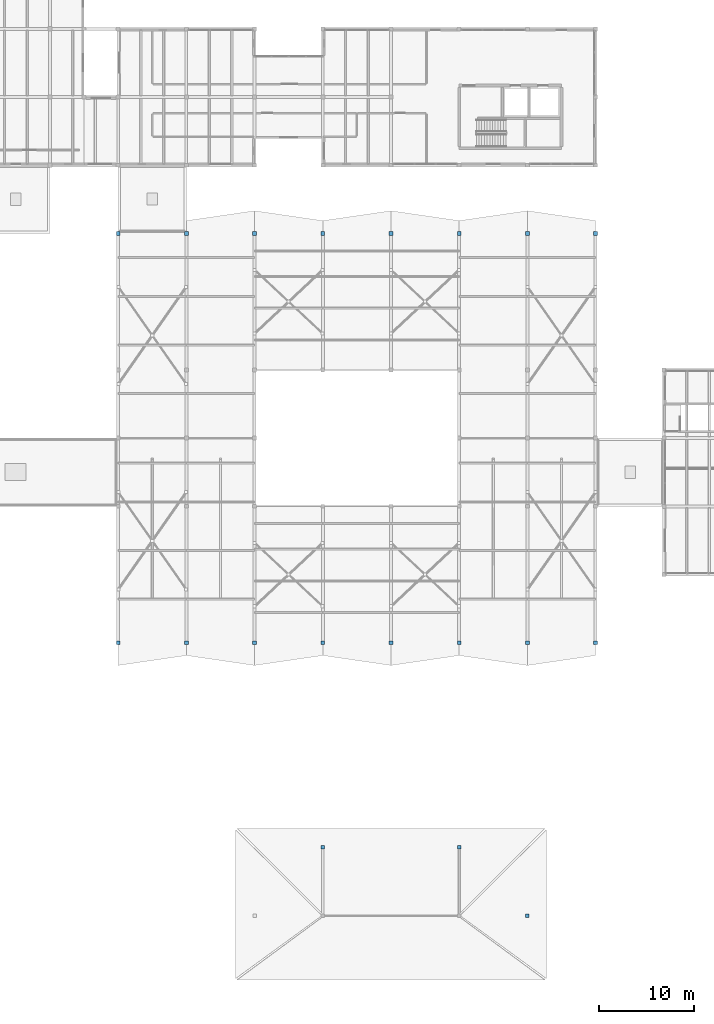
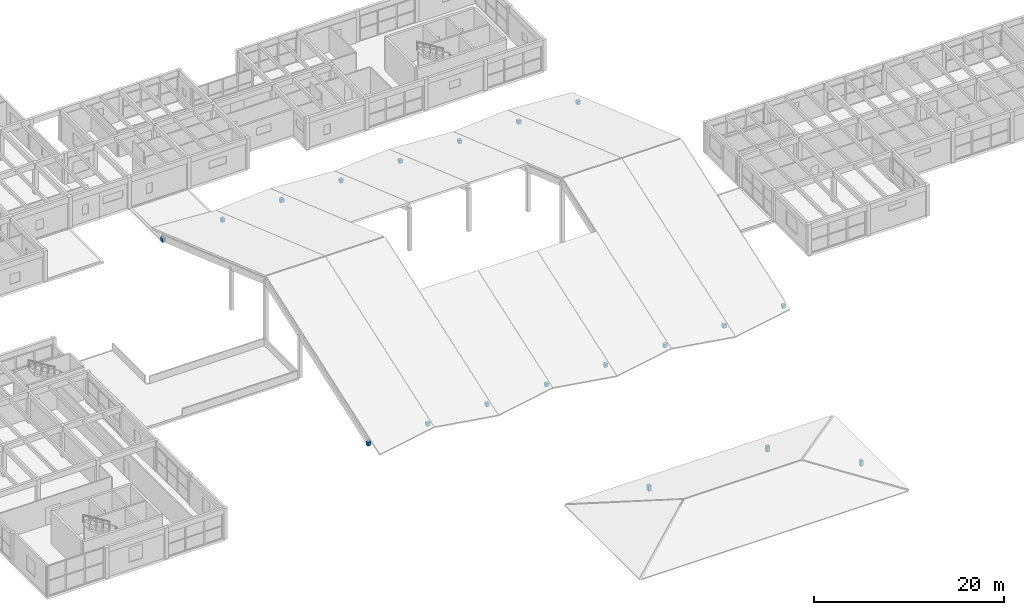
# One storey, part 5 of 68: 19 columns.
"""IFC4 building model written with IfcOpenShell, lengths in metres."""

from ifc_helpers import new_model, si_unit, direction, frame, origin, origin_2d, place, context, subcontext, project, spatial, rectangle, extrude, material, material_profile, profile_set, type_object, element, save


model = new_model("IFC4")

# Units and contexts
model_context = context("Model", 3, precision=1e-05, world=origin(), true_north=direction((0.0, 1.0)))
body_context = subcontext(model_context, "Body", "Model", "MODEL_VIEW")
ifc_project = project(units=[si_unit("LENGTHUNIT", "METRE"), si_unit("AREAUNIT", "SQUARE_METRE"), si_unit("VOLUMEUNIT", "CUBIC_METRE"), si_unit("PLANEANGLEUNIT", "RADIAN"), si_unit("MASSUNIT", "GRAM", prefix="KILO")], contexts=[model_context])

# Site, building, storey
site_placement = place(None, origin())
site = spatial("IfcSite", under=ifc_project, at=site_placement, CompositionType="ELEMENT")
building_placement = place(site_placement, origin())
building = spatial("IfcBuilding", under=site, at=building_placement, Name="Bramvelor Terrace Health Centre", CompositionType="ELEMENT")
storey_placement = place(building_placement, frame((0.0, 0.0, 9.300048828125)))
storey = spatial("IfcBuildingStorey", under=building, at=storey_placement, Name="L03", CompositionType="ELEMENT", Elevation=9.300048828125)

# Columns
ifc_material_1 = material(Name="Glulam GL28h", Category="wood")
ifc_material_profile_1 = material_profile(ifc_material_1, rectangle(XDim=0.360107421875, YDim=0.360107421875, at=origin_2d()), Name="GL 360x360")
ifc_profile_set_1 = profile_set([ifc_material_profile_1], Name="Glulam GL28h")
column_type_1 = type_object("IfcColumnType", Name="COL-GL-360", PredefinedType="COLUMN", material=ifc_profile_set_1)
for number, where, z_axis, x_axis, name in (
    (1, (64.800048828125, 14.39990234375, -0.25), (0.0, 0.0, 1.0), (1.0, 0.0, 0.0), "Prairie Hip Roof Ring Post (64.8, 14.4)"),
    (2, (79.199951171875, 14.39990234375, -0.25), (0.0, 0.0, 1.0), (1.0, 0.0, 0.0), "Prairie Hip Roof Ring Post (79.2, 14.4)"),
    (3, (86.39990234375, 7.199951171875, -0.25), (0.0, 0.0, 1.0), (1.0, 0.0, 0.0), "Prairie Hip Roof Ring Post (86.4, 7.2)"),
):
    element("IfcColumn", number, at=place(storey_placement, frame(where, z_axis=z_axis, x_axis=x_axis)), inside=storey, type_object=column_type_1, Name=name, PredefinedType="COLUMN", context=body_context, shape_type="SweptSolid", body=[
        extrude(rectangle(XDim=0.360107421875, YDim=0.360107421875, at=origin_2d()), origin(), (0.0, 0.0, 1.0), 0.724609375),
    ])
ifc_material_2 = material(Name="Glulam GL28h", Category="wood")
ifc_material_profile_2 = material_profile(ifc_material_2, rectangle(XDim=0.39990234375, YDim=0.39990234375, at=origin_2d()), Name="GL 400x400")
ifc_profile_set_2 = profile_set([ifc_material_profile_2], Name="Glulam GL28h")
column_type_2 = type_object("IfcColumnType", Name="COL-GL-400", PredefinedType="COLUMN", material=ifc_profile_set_2)
for number, where, z_axis, x_axis, name in (
    (4, (43.199951171875, 36.0, 0.050048828125), (0.0, 0.0, 1.0), (1.0, 0.0, 0.0), "Folded-Plate Roof Post (43.2, 36.0)"),
    (5, (43.199951171875, 79.199951171875, 0.050048828125), (0.0, 0.0, 1.0), (1.0, 0.0, 0.0), "Folded-Plate Roof Post (43.2, 79.2)"),
    (6, (50.39990234375, 36.0, 0.050048828125), (0.0, 0.0, 1.0), (1.0, 0.0, 0.0), "Folded-Plate Roof Post (50.4, 36.0)"),
    (7, (50.39990234375, 79.199951171875, 0.050048828125), (0.0, 0.0, 1.0), (1.0, 0.0, 0.0), "Folded-Plate Roof Post (50.4, 79.2)"),
    (8, (57.60009765625, 36.0, 0.050048828125), (0.0, 0.0, 1.0), (1.0, 0.0, 0.0), "Folded-Plate Roof Post (57.6, 36.0)"),
    (9, (57.60009765625, 79.199951171875, 0.050048828125), (0.0, 0.0, 1.0), (1.0, 0.0, 0.0), "Folded-Plate Roof Post (57.6, 79.2)"),
    (10, (64.800048828125, 36.0, 0.050048828125), (0.0, 0.0, 1.0), (1.0, 0.0, 0.0), "Folded-Plate Roof Post (64.8, 36.0)"),
    (11, (64.800048828125, 79.199951171875, 0.050048828125), (0.0, 0.0, 1.0), (1.0, 0.0, 0.0), "Folded-Plate Roof Post (64.8, 79.2)"),
    (12, (72.0, 36.0, 0.050048828125), (0.0, 0.0, 1.0), (1.0, 0.0, 0.0), "Folded-Plate Roof Post (72.0, 36.0)"),
    (13, (72.0, 79.199951171875, 0.050048828125), (0.0, 0.0, 1.0), (1.0, 0.0, 0.0), "Folded-Plate Roof Post (72.0, 79.2)"),
    (14, (79.199951171875, 36.0, 0.050048828125), (0.0, 0.0, 1.0), (1.0, 0.0, 0.0), "Folded-Plate Roof Post (79.2, 36.0)"),
    (15, (79.199951171875, 79.199951171875, 0.050048828125), (0.0, 0.0, 1.0), (1.0, 0.0, 0.0), "Folded-Plate Roof Post (79.2, 79.2)"),
    (16, (86.39990234375, 36.0, 0.050048828125), (0.0, 0.0, 1.0), (1.0, 0.0, 0.0), "Folded-Plate Roof Post (86.4, 36.0)"),
    (17, (86.39990234375, 79.199951171875, 0.050048828125), (0.0, 0.0, 1.0), (1.0, 0.0, 0.0), "Folded-Plate Roof Post (86.4, 79.2)"),
    (18, (93.60009765625, 36.0, 0.050048828125), (0.0, 0.0, 1.0), (1.0, 0.0, 0.0), "Folded-Plate Roof Post (93.6, 36.0)"),
    (19, (93.60009765625, 79.199951171875, 0.050048828125), (0.0, 0.0, 1.0), (1.0, 0.0, 0.0), "Folded-Plate Roof Post (93.6, 79.2)"),
):
    element("IfcColumn", number, at=place(storey_placement, frame(where, z_axis=z_axis, x_axis=x_axis)), inside=storey, type_object=column_type_2, Name=name, PredefinedType="COLUMN", context=body_context, shape_type="SweptSolid", body=[
        extrude(rectangle(XDim=0.39990234375, YDim=0.39990234375, at=origin_2d()), origin(), (0.0, 0.0, 1.0), 0.441650390625),
    ])

save(model, "model.ifc")
